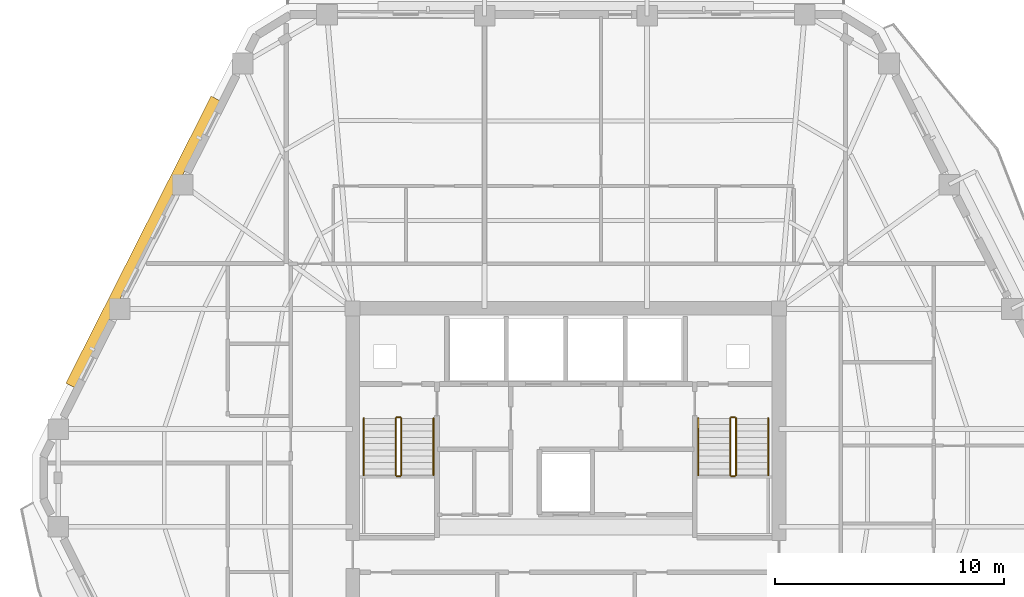
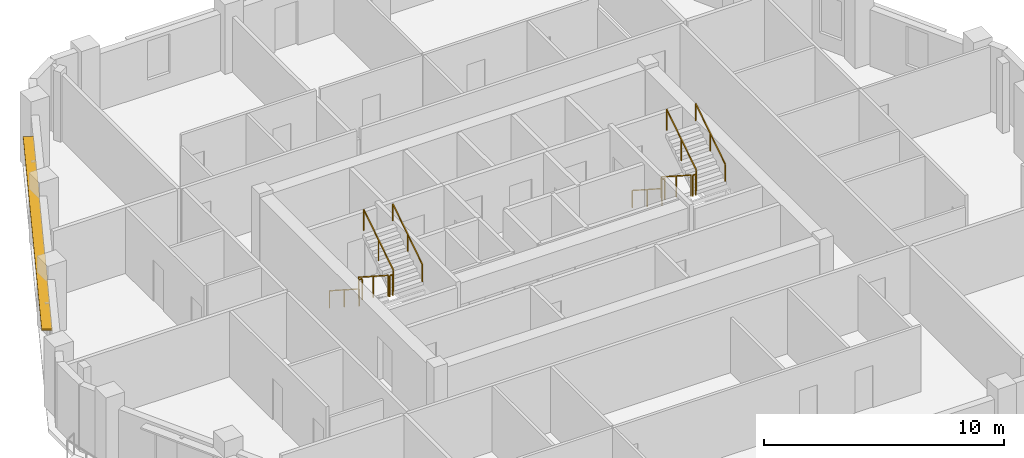
# One storey, part 10 of 11: 12 railings, 1 shading device.
"""IFC4 building model written with IfcOpenShell, lengths in metres."""

from ifc_helpers import new_model, si_unit, direction, frame, origin, origin_2d, place, context, subcontext, project, spatial, rectangle, extrude, material, layer, layer_set, type_object, element, save


model = new_model("IFC4")

# Units and contexts
model_context = context("Model", 3, precision=1e-05, world=origin(), true_north=direction((0.0, 1.0)))
body_context = subcontext(model_context, "Body", "Model", "MODEL_VIEW")
ifc_project = project(units=[si_unit("LENGTHUNIT", "METRE"), si_unit("AREAUNIT", "SQUARE_METRE"), si_unit("VOLUMEUNIT", "CUBIC_METRE"), si_unit("PLANEANGLEUNIT", "RADIAN"), si_unit("MASSUNIT", "GRAM", prefix="KILO")], contexts=[model_context])

# Site, building, storey
site_placement = place(None, origin())
site = spatial("IfcSite", under=ifc_project, at=site_placement, CompositionType="ELEMENT")
building_placement = place(site_placement, origin())
building = spatial("IfcBuilding", under=site, at=building_placement, Name="Cinnabar Lancet Tower", CompositionType="ELEMENT")
storey_placement = place(building_placement, frame((0.0, 0.0, 196.75)))
storey = spatial("IfcBuildingStorey", under=building, at=storey_placement, Name="L52", CompositionType="ELEMENT", Elevation=196.75)

# Shading device
ifc_material_1 = material(Name="Pale limestone architectural aluminium sunshade", Category="masonry")
ifc_layer = layer(ifc_material_1, 0.080078125)
ifc_layer_set = layer_set([ifc_layer], Name="Pale limestone architectural aluminium sunshade")
shading_device_type = type_object("IfcShadingDeviceType", Name="ENV-SHD-LVR-450", PredefinedType="JALOUSIE", material=ifc_layer_set)
shading_device_placement = place(storey_placement, frame((13.9541015625, 36.093994140625, 2.639892578125), z_axis=(0.0, 0.0, 1.0), x_axis=(-0.45140713236, -0.892318105193, 0.0)))
element("IfcShadingDevice", 1, at=shading_device_placement, inside=storey, type_object=shading_device_type, Name="L52 Face 5 Horizontal Sunshade Canopy", PredefinedType="JALOUSIE", context=body_context, shape_type="SweptSolid", body=[
    extrude(rectangle(XDim=14.034912109375, YDim=0.449951171875, at=origin_2d()), origin(), (0.0, 0.0, 1.0), 0.080078125),
])

# Railings
ifc_material_2 = material(Name="Painted galvanized steel balustrade", Category="steel")
railing_type_1 = type_object("IfcRailingType", Name="GUARD-STAIR", PredefinedType="GUARDRAIL", material=ifc_material_2)
railing_1_placement = place(storey_placement, frame((24.97509765625, 28.39990234375, 0.177490234375)))
element("IfcRailing", 2, at=railing_1_placement, inside=storey, type_object=railing_type_1, Name="L52 ST-1 stair guard 1", PredefinedType="GUARDRAIL", context=body_context, shape_type="SweptSolid", body=[
    extrude(rectangle(XDim=0.048095703125, YDim=0.048095703125, at=origin_2d()), frame((0.0, 0.0, 1.076171875), z_axis=(0.0, -0.840183358697, 0.542302428327), x_axis=(1.0, 0.0, 0.0)), (0.0, 0.0, 1.0), 2.945556640625),
    extrude(rectangle(XDim=0.0419921875, YDim=0.0419921875, at=origin_2d()), origin(), (0.0, 0.0, 1.0), 1.052001953125),
    extrude(rectangle(XDim=0.0419921875, YDim=0.0419921875, at=origin_2d()), frame((0.0, -1.2373046875, 0.798828125)), (0.0, 0.0, 1.0), 1.052001953125),
    extrude(rectangle(XDim=0.0419921875, YDim=0.0419921875, at=origin_2d()), frame((0.0, -2.474853515625, 1.597412109375)), (0.0, 0.0, 1.0), 1.052001953125),
])
railing_2_placement = place(storey_placement, frame((25.02490234375, 25.875, 1.77490234375)))
element("IfcRailing", 3, at=railing_2_placement, inside=storey, type_object=railing_type_1, Name="L52 ST-1 stair guard 2", PredefinedType="GUARDRAIL", context=body_context, shape_type="SweptSolid", body=[
    extrude(rectangle(XDim=0.048095703125, YDim=0.048095703125, at=origin_2d()), frame((0.0, 0.0, 1.076171875), z_axis=(1.0, 0.0, 0.0), x_axis=(0.0, 1.0, 0.0)), (0.0, 0.0, 1.0), 0.150146484375),
    extrude(rectangle(XDim=0.0419921875, YDim=0.0419921875, at=origin_2d()), origin(), (0.0, 0.0, 1.0), 1.052001953125),
    extrude(rectangle(XDim=0.0419921875, YDim=0.0419921875, at=origin_2d()), frame((0.150146484375, 0.0, 0.0)), (0.0, 0.0, 1.0), 1.052001953125),
])
railing_3_placement = place(storey_placement, frame((25.22509765625, 25.925048828125, 1.952392578125)))
element("IfcRailing", 4, at=railing_3_placement, inside=storey, type_object=railing_type_1, Name="L52 ST-1 stair guard 3", PredefinedType="GUARDRAIL", context=body_context, shape_type="SweptSolid", body=[
    extrude(rectangle(XDim=0.048095703125, YDim=0.048095703125, at=origin_2d()), frame((0.0, 0.0, 1.076171875), z_axis=(0.0, 0.84014559416, 0.542360932049), x_axis=(-1.0, 0.0, 0.0)), (0.0, 0.0, 1.0), 2.94580078125),
    extrude(rectangle(XDim=0.0419921875, YDim=0.0419921875, at=origin_2d()), origin(), (0.0, 0.0, 1.0), 1.052001953125),
    extrude(rectangle(XDim=0.0419921875, YDim=0.0419921875, at=origin_2d()), frame((0.0, 1.2373046875, 0.798828125)), (0.0, 0.0, 1.0), 1.052001953125),
    extrude(rectangle(XDim=0.0419921875, YDim=0.0419921875, at=origin_2d()), frame((0.0, 2.474853515625, 1.59765625)), (0.0, 0.0, 1.0), 1.052001953125),
])
railing_4_placement = place(storey_placement, frame((25.02490234375, 28.449951171875, 0.0)))
element("IfcRailing", 5, at=railing_4_placement, inside=storey, type_object=railing_type_1, Name="L52 ST-1 stair guard 4", PredefinedType="GUARDRAIL", context=body_context, shape_type="SweptSolid", body=[
    extrude(rectangle(XDim=0.048095703125, YDim=0.048095703125, at=origin_2d()), frame((0.0, 0.0, 1.076171875), z_axis=(1.0, 0.0, 0.0), x_axis=(0.0, 1.0, 0.0)), (0.0, 0.0, 1.0), 0.150146484375),
    extrude(rectangle(XDim=0.0419921875, YDim=0.0419921875, at=origin_2d()), origin(), (0.0, 0.0, 1.0), 1.052001953125),
    extrude(rectangle(XDim=0.0419921875, YDim=0.0419921875, at=origin_2d()), frame((0.150146484375, 0.0, 0.0)), (0.0, 0.0, 1.0), 1.052001953125),
])
railing_5_placement = place(storey_placement, frame((39.574951171875, 28.39990234375, 0.177490234375)))
element("IfcRailing", 6, at=railing_5_placement, inside=storey, type_object=railing_type_1, Name="L52 ST-2 stair guard 1", PredefinedType="GUARDRAIL", context=body_context, shape_type="SweptSolid", body=[
    extrude(rectangle(XDim=0.048095703125, YDim=0.048095703125, at=origin_2d()), frame((0.0, 0.0, 1.076171875), z_axis=(0.0, -0.840183358697, 0.542302428327), x_axis=(1.0, 0.0, 0.0)), (0.0, 0.0, 1.0), 2.945556640625),
    extrude(rectangle(XDim=0.0419921875, YDim=0.0419921875, at=origin_2d()), origin(), (0.0, 0.0, 1.0), 1.052001953125),
    extrude(rectangle(XDim=0.0419921875, YDim=0.0419921875, at=origin_2d()), frame((0.0, -1.2373046875, 0.798828125)), (0.0, 0.0, 1.0), 1.052001953125),
    extrude(rectangle(XDim=0.0419921875, YDim=0.0419921875, at=origin_2d()), frame((0.0, -2.474853515625, 1.597412109375)), (0.0, 0.0, 1.0), 1.052001953125),
])
railing_6_placement = place(storey_placement, frame((39.625, 25.875, 1.77490234375)))
element("IfcRailing", 7, at=railing_6_placement, inside=storey, type_object=railing_type_1, Name="L52 ST-2 stair guard 2", PredefinedType="GUARDRAIL", context=body_context, shape_type="SweptSolid", body=[
    extrude(rectangle(XDim=0.048095703125, YDim=0.048095703125, at=origin_2d()), frame((0.0, 0.0, 1.076171875), z_axis=(1.0, 0.0, 0.0), x_axis=(0.0, 1.0, 0.0)), (0.0, 0.0, 1.0), 0.14990234375),
    extrude(rectangle(XDim=0.0419921875, YDim=0.0419921875, at=origin_2d()), origin(), (0.0, 0.0, 1.0), 1.052001953125),
    extrude(rectangle(XDim=0.0419921875, YDim=0.0419921875, at=origin_2d()), frame((0.14990234375, 0.0, 0.0)), (0.0, 0.0, 1.0), 1.052001953125),
])
railing_7_placement = place(storey_placement, frame((39.824951171875, 25.925048828125, 1.952392578125)))
element("IfcRailing", 8, at=railing_7_placement, inside=storey, type_object=railing_type_1, Name="L52 ST-2 stair guard 3", PredefinedType="GUARDRAIL", context=body_context, shape_type="SweptSolid", body=[
    extrude(rectangle(XDim=0.048095703125, YDim=0.048095703125, at=origin_2d()), frame((0.0, 0.0, 1.076171875), z_axis=(0.0, 0.84014559416, 0.542360932049), x_axis=(-1.0, 0.0, 0.0)), (0.0, 0.0, 1.0), 2.94580078125),
    extrude(rectangle(XDim=0.0419921875, YDim=0.0419921875, at=origin_2d()), origin(), (0.0, 0.0, 1.0), 1.052001953125),
    extrude(rectangle(XDim=0.0419921875, YDim=0.0419921875, at=origin_2d()), frame((0.0, 1.2373046875, 0.798828125)), (0.0, 0.0, 1.0), 1.052001953125),
    extrude(rectangle(XDim=0.0419921875, YDim=0.0419921875, at=origin_2d()), frame((0.0, 2.474853515625, 1.59765625)), (0.0, 0.0, 1.0), 1.052001953125),
])
railing_8_placement = place(storey_placement, frame((39.625, 28.449951171875, 0.0)))
element("IfcRailing", 9, at=railing_8_placement, inside=storey, type_object=railing_type_1, Name="L52 ST-2 stair guard 4", PredefinedType="GUARDRAIL", context=body_context, shape_type="SweptSolid", body=[
    extrude(rectangle(XDim=0.048095703125, YDim=0.048095703125, at=origin_2d()), frame((0.0, 0.0, 1.076171875), z_axis=(1.0, 0.0, 0.0), x_axis=(0.0, 1.0, 0.0)), (0.0, 0.0, 1.0), 0.14990234375),
    extrude(rectangle(XDim=0.0419921875, YDim=0.0419921875, at=origin_2d()), origin(), (0.0, 0.0, 1.0), 1.052001953125),
    extrude(rectangle(XDim=0.0419921875, YDim=0.0419921875, at=origin_2d()), frame((0.14990234375, 0.0, 0.0)), (0.0, 0.0, 1.0), 1.052001953125),
])
ifc_material_3 = material(Name="Brushed stainless steel handrail", Category="steel")
railing_type_2 = type_object("IfcRailingType", Name="HANDRAIL-STAIR", PredefinedType="HANDRAIL", material=ifc_material_3)
railing_9_placement = place(storey_placement, frame((23.574951171875, 28.39990234375, 0.177490234375)))
element("IfcRailing", 10, at=railing_9_placement, inside=storey, type_object=railing_type_2, Name="L52 ST-1 stair handrail 1", PredefinedType="HANDRAIL", context=body_context, shape_type="SweptSolid", body=[
    extrude(rectangle(XDim=0.048095703125, YDim=0.048095703125, at=origin_2d()), frame((0.0, 0.0, 0.8759765625), z_axis=(0.0, -0.840183358697, 0.542302428327), x_axis=(1.0, 0.0, 0.0)), (0.0, 0.0, 1.0), 2.945556640625),
    extrude(rectangle(XDim=0.0419921875, YDim=0.0419921875, at=origin_2d()), origin(), (0.0, 0.0, 1.0), 0.851806640625),
    extrude(rectangle(XDim=0.0419921875, YDim=0.0419921875, at=origin_2d()), frame((0.0, -1.2373046875, 0.798828125)), (0.0, 0.0, 1.0), 0.851806640625),
    extrude(rectangle(XDim=0.0419921875, YDim=0.0419921875, at=origin_2d()), frame((0.0, -2.474853515625, 1.597412109375)), (0.0, 0.0, 1.0), 0.851806640625),
])
railing_10_placement = place(storey_placement, frame((26.625, 25.925048828125, 1.952392578125)))
element("IfcRailing", 11, at=railing_10_placement, inside=storey, type_object=railing_type_2, Name="L52 ST-1 stair handrail 2", PredefinedType="HANDRAIL", context=body_context, shape_type="SweptSolid", body=[
    extrude(rectangle(XDim=0.048095703125, YDim=0.048095703125, at=origin_2d()), frame((0.0, 0.0, 0.8759765625), z_axis=(0.0, 0.84014559416, 0.542360932049), x_axis=(-1.0, 0.0, 0.0)), (0.0, 0.0, 1.0), 2.94580078125),
    extrude(rectangle(XDim=0.0419921875, YDim=0.0419921875, at=origin_2d()), origin(), (0.0, 0.0, 1.0), 0.851806640625),
    extrude(rectangle(XDim=0.0419921875, YDim=0.0419921875, at=origin_2d()), frame((0.0, 1.2373046875, 0.798828125)), (0.0, 0.0, 1.0), 0.851806640625),
    extrude(rectangle(XDim=0.0419921875, YDim=0.0419921875, at=origin_2d()), frame((0.0, 2.474853515625, 1.59765625)), (0.0, 0.0, 1.0), 0.851806640625),
])
railing_11_placement = place(storey_placement, frame((38.175048828125, 28.39990234375, 0.177490234375)))
element("IfcRailing", 12, at=railing_11_placement, inside=storey, type_object=railing_type_2, Name="L52 ST-2 stair handrail 1", PredefinedType="HANDRAIL", context=body_context, shape_type="SweptSolid", body=[
    extrude(rectangle(XDim=0.048095703125, YDim=0.048095703125, at=origin_2d()), frame((0.0, 0.0, 0.8759765625), z_axis=(0.0, -0.840183358697, 0.542302428327), x_axis=(1.0, 0.0, 0.0)), (0.0, 0.0, 1.0), 2.945556640625),
    extrude(rectangle(XDim=0.0419921875, YDim=0.0419921875, at=origin_2d()), origin(), (0.0, 0.0, 1.0), 0.851806640625),
    extrude(rectangle(XDim=0.0419921875, YDim=0.0419921875, at=origin_2d()), frame((0.0, -1.2373046875, 0.798828125)), (0.0, 0.0, 1.0), 0.851806640625),
    extrude(rectangle(XDim=0.0419921875, YDim=0.0419921875, at=origin_2d()), frame((0.0, -2.474853515625, 1.597412109375)), (0.0, 0.0, 1.0), 0.851806640625),
])
railing_12_placement = place(storey_placement, frame((41.22509765625, 25.925048828125, 1.952392578125)))
element("IfcRailing", 13, at=railing_12_placement, inside=storey, type_object=railing_type_2, Name="L52 ST-2 stair handrail 2", PredefinedType="HANDRAIL", context=body_context, shape_type="SweptSolid", body=[
    extrude(rectangle(XDim=0.048095703125, YDim=0.048095703125, at=origin_2d()), frame((0.0, 0.0, 0.8759765625), z_axis=(0.0, 0.84014559416, 0.542360932049), x_axis=(-1.0, 0.0, 0.0)), (0.0, 0.0, 1.0), 2.94580078125),
    extrude(rectangle(XDim=0.0419921875, YDim=0.0419921875, at=origin_2d()), origin(), (0.0, 0.0, 1.0), 0.851806640625),
    extrude(rectangle(XDim=0.0419921875, YDim=0.0419921875, at=origin_2d()), frame((0.0, 1.2373046875, 0.798828125)), (0.0, 0.0, 1.0), 0.851806640625),
    extrude(rectangle(XDim=0.0419921875, YDim=0.0419921875, at=origin_2d()), frame((0.0, 2.474853515625, 1.59765625)), (0.0, 0.0, 1.0), 0.851806640625),
])

save(model, "model.ifc")
